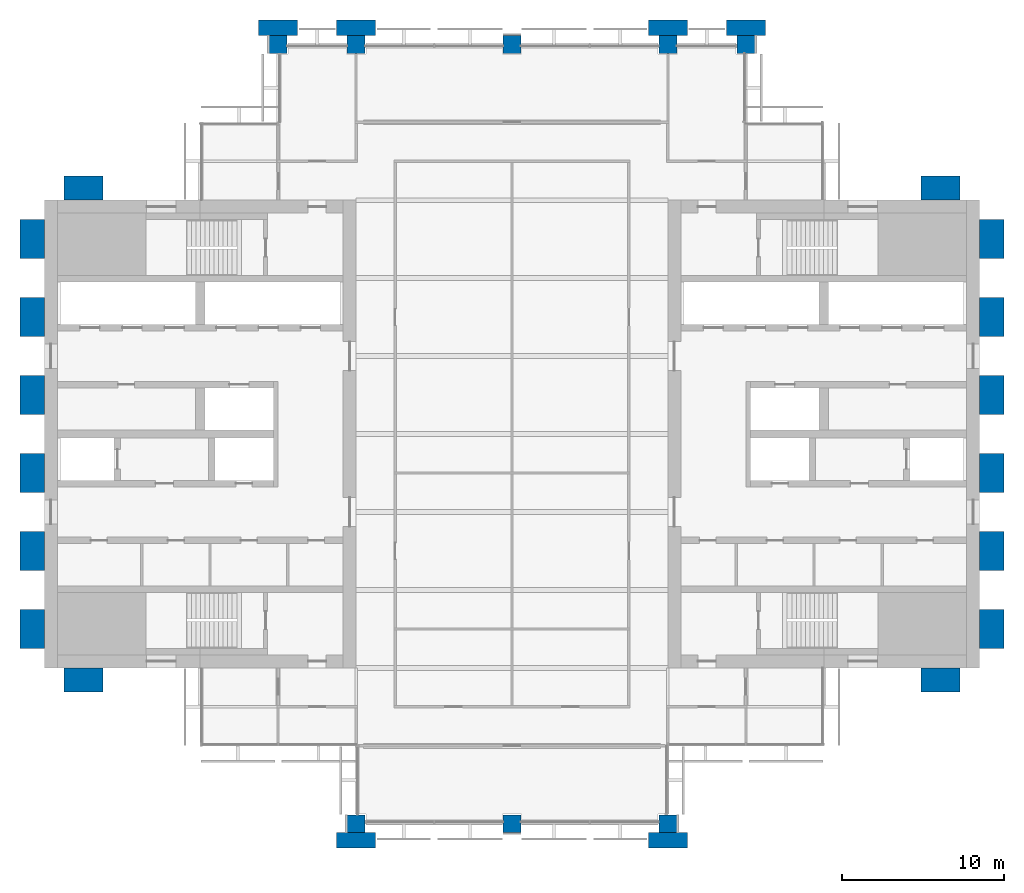
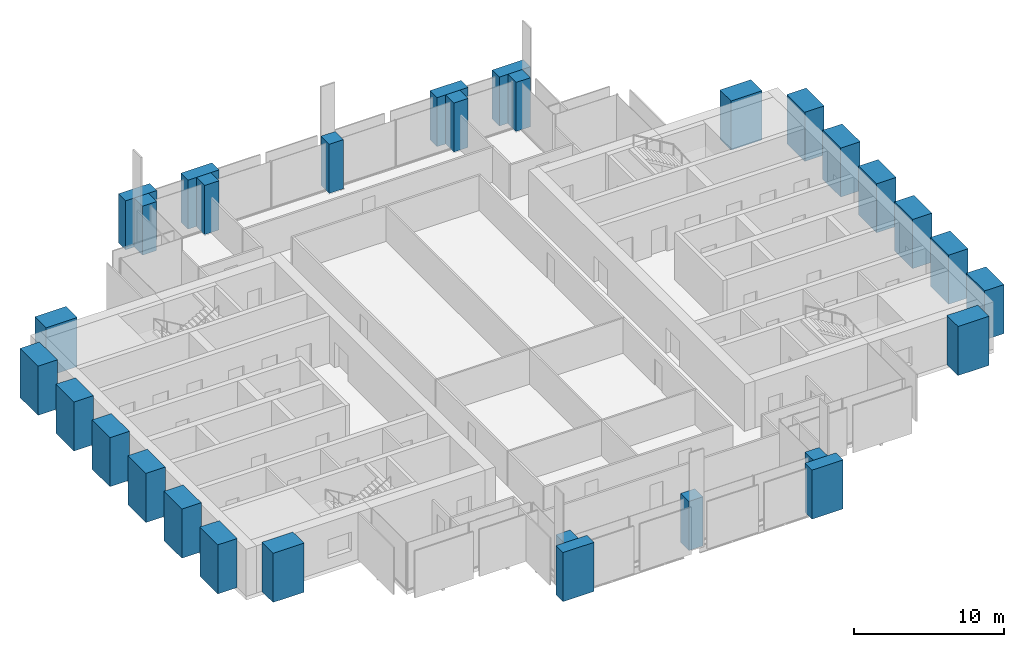
# One storey, part 1 of 13: 30 columns.
"""IFC4 building model written with IfcOpenShell, lengths in metres."""

from ifc_helpers import new_model, si_unit, direction, frame, origin, origin_2d, place, context, subcontext, project, spatial, rectangle, extrude, material, material_profile, profile_set, type_object, element, save


model = new_model("IFC4")

# Units and contexts
model_context = context("Model", 3, precision=1e-05, world=origin(), true_north=direction((0.0, 1.0)))
body_context = subcontext(model_context, "Body", "Model", "MODEL_VIEW")
ifc_project = project(units=[si_unit("LENGTHUNIT", "METRE"), si_unit("AREAUNIT", "SQUARE_METRE"), si_unit("VOLUMEUNIT", "CUBIC_METRE"), si_unit("PLANEANGLEUNIT", "RADIAN"), si_unit("MASSUNIT", "GRAM", prefix="KILO")], contexts=[model_context])

# Site, building, storey
site_placement = place(None, origin())
site = spatial("IfcSite", under=ifc_project, at=site_placement, CompositionType="ELEMENT")
building_placement = place(site_placement, origin())
building = spatial("IfcBuilding", under=site, at=building_placement, Name="Baori Bourse Tower", CompositionType="ELEMENT")
storey_placement = place(building_placement, frame((0.0, 0.0, 193.199951171875)))
storey = spatial("IfcBuildingStorey", under=building, at=storey_placement, Name="L41", CompositionType="ELEMENT", Elevation=193.199951171875)

# Columns
ifc_material_1 = material(Name="Concrete f'c 60 MPa", Category="concrete")
ifc_material_profile_1 = material_profile(ifc_material_1, rectangle(XDim=2.39990234375, YDim=0.949951171875, at=origin_2d()), Name="RC 2400x950")
ifc_profile_set_1 = profile_set([ifc_material_profile_1], Name="Concrete f'c 60 MPa")
column_type_1 = type_object("IfcColumnType", Name="FN3 Brick pilaster 2400x950", PredefinedType="PILASTER", material=ifc_profile_set_1)
for number, where, z_axis, x_axis, name in (
    (1, (19.199951171875, -1.02490234375, 0.0), (0.0, 0.0, 1.0), (1.0, 0.0, 0.0), "Brick pilaster L41 17"),
    (2, (38.39990234375, -1.02490234375, 0.0), (0.0, 0.0, 1.0), (1.0, 0.0, 0.0), "Brick pilaster L41 18"),
    (3, (14.39990234375, 49.02490234375, 0.0), (0.0, 0.0, 1.0), (1.0, 0.0, 0.0), "Brick pilaster L41 19"),
    (4, (19.199951171875, 49.02490234375, 0.0), (0.0, 0.0, 1.0), (1.0, 0.0, 0.0), "Brick pilaster L41 20"),
    (5, (38.39990234375, 49.02490234375, 0.0), (0.0, 0.0, 1.0), (1.0, 0.0, 0.0), "Brick pilaster L41 21"),
    (6, (43.199951171875, 49.02490234375, 0.0), (0.0, 0.0, 1.0), (1.0, 0.0, 0.0), "Brick pilaster L41 22"),
):
    element("IfcColumn", number, at=place(storey_placement, frame(where, z_axis=z_axis, x_axis=x_axis)), inside=storey, type_object=column_type_1, Name=name, PredefinedType="PILASTER", context=body_context, shape_type="SweptSolid", body=[
        extrude(rectangle(XDim=2.39990234375, YDim=0.949951171875, at=origin_2d()), origin(), (0.0, 0.0, 1.0), 4.0),
    ])
ifc_material_2 = material(Name="Concrete f'c 60 MPa", Category="concrete")
ifc_material_profile_2 = material_profile(ifc_material_2, rectangle(XDim=2.39990234375, YDim=1.5, at=origin_2d()), Name="RC 2400x1500")
ifc_profile_set_2 = profile_set([ifc_material_profile_2], Name="Concrete f'c 60 MPa")
column_type_2 = type_object("IfcColumnType", Name="FN4 Brick flank pilaster 2400x1500", PredefinedType="PILASTER", material=ifc_profile_set_2)
for number, where, z_axis, x_axis, name in (
    (7, (55.199951171875, 8.85009765625, 0.0), (0.0, 0.0, 1.0), (1.0, 0.0, 0.0), "Brick pilaster L41 1"),
    (8, (58.35009765625, 12.0, 0.0), (0.0, 0.0, 1.0), (0.0, 1.0, 0.0), "Brick pilaster L41 2"),
    (9, (58.35009765625, 16.800048828125, 0.0), (0.0, 0.0, 1.0), (0.0, 1.0, 0.0), "Brick pilaster L41 3"),
    (10, (58.35009765625, 21.60009765625, 0.0), (0.0, 0.0, 1.0), (0.0, 1.0, 0.0), "Brick pilaster L41 4"),
    (11, (58.35009765625, 26.39990234375, 0.0), (0.0, 0.0, 1.0), (0.0, 1.0, 0.0), "Brick pilaster L41 5"),
    (12, (58.35009765625, 31.199951171875, 0.0), (0.0, 0.0, 1.0), (0.0, 1.0, 0.0), "Brick pilaster L41 6"),
    (13, (58.35009765625, 36.0, 0.0), (0.0, 0.0, 1.0), (0.0, 1.0, 0.0), "Brick pilaster L41 7"),
    (14, (55.199951171875, 39.14990234375, 0.0), (0.0, 0.0, 1.0), (1.0, 0.0, 0.0), "Brick pilaster L41 8"),
    (15, (2.39990234375, 39.14990234375, 0.0), (0.0, 0.0, 1.0), (1.0, 0.0, 0.0), "Brick pilaster L41 9"),
    (16, (-0.75, 12.0, 0.0), (0.0, 0.0, 1.0), (0.0, 1.0, 0.0), "Brick pilaster L41 10"),
    (17, (-0.75, 16.800048828125, 0.0), (0.0, 0.0, 1.0), (0.0, 1.0, 0.0), "Brick pilaster L41 11"),
    (18, (-0.75, 21.60009765625, 0.0), (0.0, 0.0, 1.0), (0.0, 1.0, 0.0), "Brick pilaster L41 12"),
    (19, (-0.75, 26.39990234375, 0.0), (0.0, 0.0, 1.0), (0.0, 1.0, 0.0), "Brick pilaster L41 13"),
    (20, (-0.75, 31.199951171875, 0.0), (0.0, 0.0, 1.0), (0.0, 1.0, 0.0), "Brick pilaster L41 14"),
    (21, (-0.75, 36.0, 0.0), (0.0, 0.0, 1.0), (0.0, 1.0, 0.0), "Brick pilaster L41 15"),
    (22, (2.39990234375, 8.85009765625, 0.0), (0.0, 0.0, 1.0), (1.0, 0.0, 0.0), "Brick pilaster L41 16"),
):
    element("IfcColumn", number, at=place(storey_placement, frame(where, z_axis=z_axis, x_axis=x_axis)), inside=storey, type_object=column_type_2, Name=name, PredefinedType="PILASTER", context=body_context, shape_type="SweptSolid", body=[
        extrude(rectangle(XDim=2.39990234375, YDim=1.5, at=origin_2d()), origin(), (0.0, 0.0, 1.0), 4.0),
    ])
ifc_material_3 = material(Name="Concrete f'c 50 MPa", Category="concrete")
ifc_material_profile_3 = material_profile(ifc_material_3, rectangle(XDim=1.10009765625, YDim=1.10009765625, at=origin_2d()), Name="RC 1100x1100")
ifc_profile_set_3 = profile_set([ifc_material_profile_3], Name="Concrete f'c 50 MPa")
column_type_3 = type_object("IfcColumnType", Name="Perimeter column 50 RC 1100x1100", PredefinedType="COLUMN", material=ifc_profile_set_3)
for number, where, z_axis, x_axis, name in (
    (23, (19.199951171875, 0.0, 0.0), (0.0, 0.0, 1.0), (1.0, 0.0, 0.0), "Perimeter column L41"),
    (24, (28.800048828125, 0.0, 0.0), (0.0, 0.0, 1.0), (1.0, 0.0, 0.0), "Perimeter column L41"),
    (25, (38.39990234375, 0.0, 0.0), (0.0, 0.0, 1.0), (1.0, 0.0, 0.0), "Perimeter column L41"),
    (26, (14.39990234375, 48.0, 0.0), (0.0, 0.0, 1.0), (1.0, 0.0, 0.0), "Perimeter column L41"),
    (27, (19.199951171875, 48.0, 0.0), (0.0, 0.0, 1.0), (1.0, 0.0, 0.0), "Perimeter column L41"),
    (28, (28.800048828125, 48.0, 0.0), (0.0, 0.0, 1.0), (1.0, 0.0, 0.0), "Perimeter column L41"),
    (29, (38.39990234375, 48.0, 0.0), (0.0, 0.0, 1.0), (1.0, 0.0, 0.0), "Perimeter column L41"),
    (30, (43.199951171875, 48.0, 0.0), (0.0, 0.0, 1.0), (1.0, 0.0, 0.0), "Perimeter column L41"),
):
    element("IfcColumn", number, at=place(storey_placement, frame(where, z_axis=z_axis, x_axis=x_axis)), inside=storey, type_object=column_type_3, Name=name, PredefinedType="COLUMN", context=body_context, shape_type="SweptSolid", body=[
        extrude(rectangle(XDim=1.10009765625, YDim=1.10009765625, at=origin_2d()), origin(), (0.0, 0.0, 1.0), 4.0),
    ])

save(model, "model.ifc")
